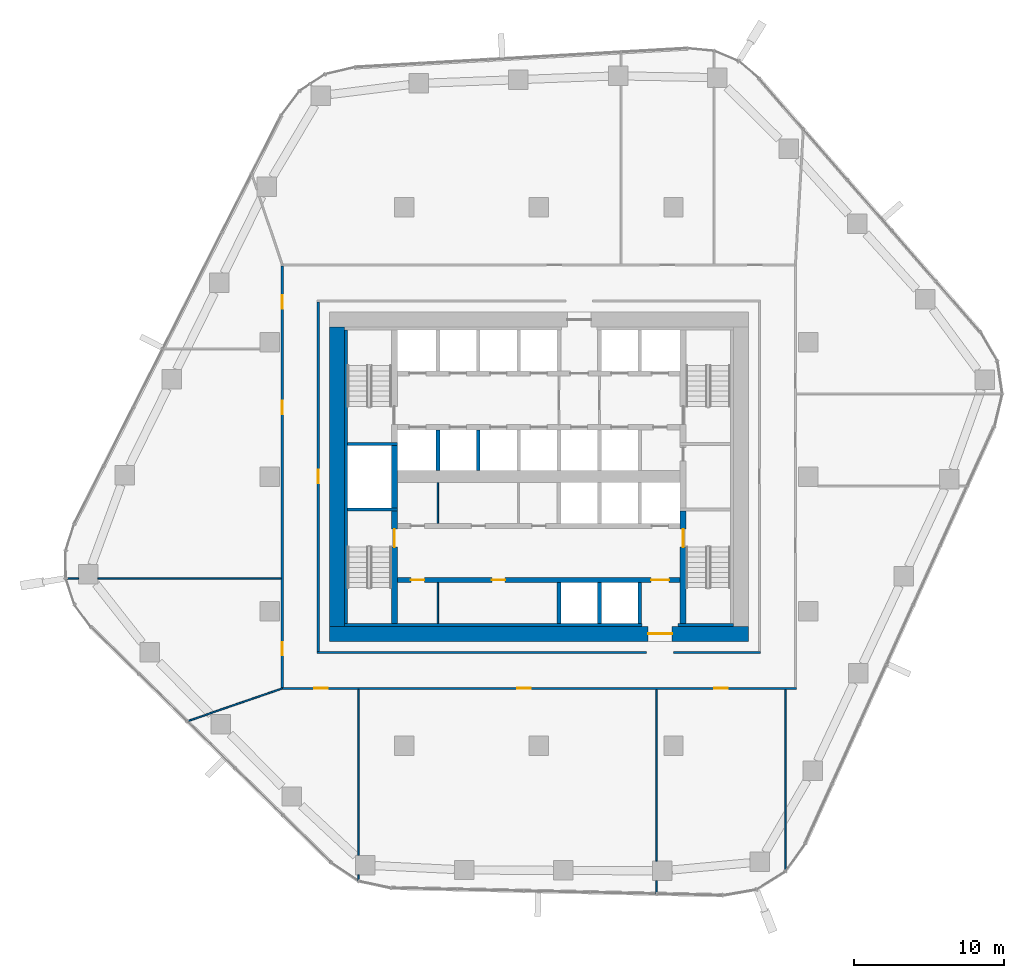
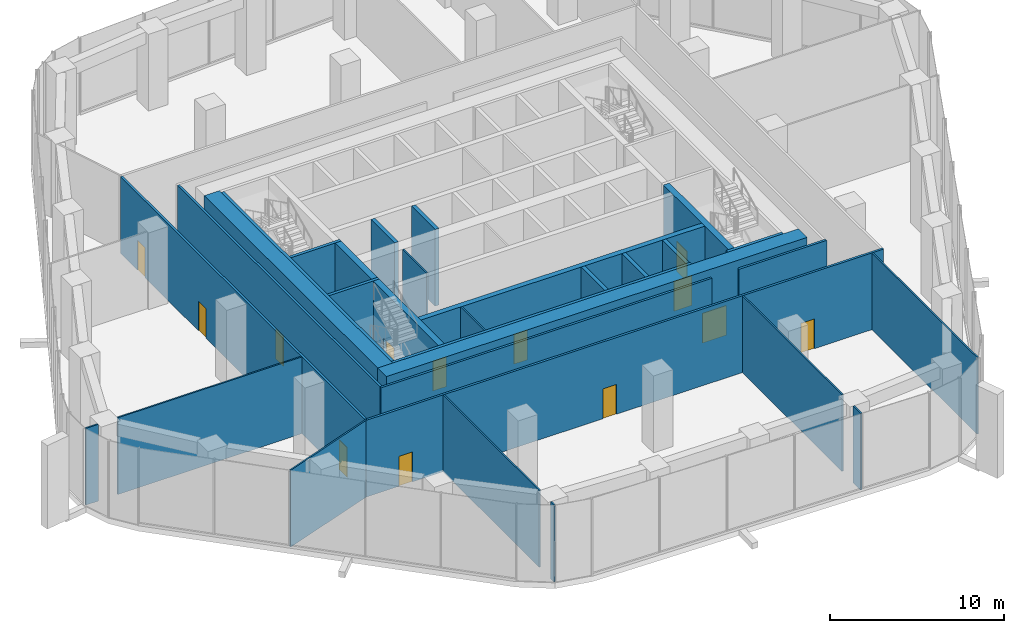
# One storey, part 11 of 18: 31 walls, 13 doors, 13 openings.
"""IFC4 building model written with IfcOpenShell, lengths in metres."""

from ifc_helpers import new_model, si_unit, direction, frame, frame_2d, origin, place, context, subcontext, project, spatial, rectangle, extrude, material, layer, layer_set, type_object, element, fill, save


model = new_model("IFC4")

# Units and contexts
model_context = context("Model", 3, precision=1e-05, world=origin(), true_north=direction((0.0, 1.0)))
body_context = subcontext(model_context, "Body", "Model", "MODEL_VIEW")
ifc_project = project(units=[si_unit("LENGTHUNIT", "METRE"), si_unit("AREAUNIT", "SQUARE_METRE"), si_unit("VOLUMEUNIT", "CUBIC_METRE"), si_unit("PLANEANGLEUNIT", "RADIAN"), si_unit("MASSUNIT", "GRAM", prefix="KILO")], contexts=[model_context])

# Site, building, storey
site_placement = place(None, origin())
site = spatial("IfcSite", under=ifc_project, at=site_placement, CompositionType="ELEMENT")
building_placement = place(site_placement, origin())
building = spatial("IfcBuilding", under=site, at=building_placement, Name="Dongbaek Canopy Tower", CompositionType="ELEMENT")
storey_placement = place(building_placement, frame((0.0, 0.0, 139.60009765625)))
storey = spatial("IfcBuildingStorey", under=building, at=storey_placement, Name="L31", CompositionType="ELEMENT", Elevation=139.60009765625)

# Wall, openings, doors
ifc_material_1 = material(Name="Concrete C60/75", Category="concrete")
ifc_layer_1 = layer(ifc_material_1, 0.35009765625)
ifc_layer_set_1 = layer_set([ifc_layer_1], Name="Core lobby wall 350 Concrete C60/75")
wall_type_1 = type_object("IfcWallType", Name="Core lobby wall 350 Concrete C60/75", PredefinedType="SHEAR", material=ifc_layer_set_1)
wall_1_placement = place(storey_placement, frame((9.449951171875, -6.89990234375, 0.0), z_axis=(0.0, 0.0, 1.0), x_axis=(-1.0, 0.0, 0.0)))
wall_1 = element("IfcWall", 1, at=wall_1_placement, inside=storey, type_object=wall_type_1, Name="Core wall", PredefinedType="SHEAR", context=body_context, shape_type="SweptSolid", body=[
    extrude(rectangle(XDim=18.89990234375, YDim=0.35009765625, at=frame_2d((9.449951171875, 0.0))), origin(), (0.0, 0.0, 1.0), 5.39990234375),
])
opening_1_placement = place(wall_1_placement, frame((0.75, 0.0, 0.0)))
opening_1 = element("IfcOpeningElement", 2, at=opening_1_placement, cuts=wall_1, Name="Opening L31-D033", PredefinedType="OPENING", context=body_context, shape_type="SweptSolid", body=[
    extrude(rectangle(XDim=1.199951171875, YDim=2.10009765625, at=frame_2d((0.60009765625, 1.050048828125))), frame((0.0, 0.18505859375, 0.0), z_axis=(0.0, -1.0, 0.0), x_axis=(1.0, 0.0, 0.0)), (0.0, 0.0, 1.0), 0.3701171875),
])
opening_2_placement = place(wall_1_placement, frame((17.10009765625, 0.0, 0.0)))
opening_2 = element("IfcOpeningElement", 3, at=opening_2_placement, cuts=wall_1, Name="Opening L31-D037", PredefinedType="OPENING", context=body_context, shape_type="SweptSolid", body=[
    extrude(rectangle(XDim=0.89990234375, YDim=2.10009765625, at=frame_2d((0.449951171875, 1.050048828125))), frame((0.0, 0.18505859375, 0.0), z_axis=(0.0, -1.0, 0.0), x_axis=(1.0, 0.0, 0.0)), (0.0, 0.0, 1.0), 0.3701171875),
])
opening_3_placement = place(wall_1_placement, frame((11.699951171875, 0.0, 0.0)))
opening_3 = element("IfcOpeningElement", 4, at=opening_3_placement, cuts=wall_1, Name="Opening L31-D038", PredefinedType="OPENING", context=body_context, shape_type="SweptSolid", body=[
    extrude(rectangle(XDim=0.89990234375, YDim=2.10009765625, at=frame_2d((0.449951171875, 1.050048828125))), frame((0.0, 0.18505859375, 0.0), z_axis=(0.0, -1.0, 0.0), x_axis=(1.0, 0.0, 0.0)), (0.0, 0.0, 1.0), 0.3701171875),
])
ifc_material_2 = material(Name="Steel", Category="steel")
door_type_1 = type_object("IfcDoorType", Name="Core room door 900 x 2100", OperationType="SINGLE_SWING_LEFT", PredefinedType="DOOR", material=ifc_material_2)
door_1_placement = place(opening_2_placement, origin())
door_1 = element("IfcDoor", 5, at=door_1_placement, inside=storey, type_object=door_type_1, Name="Door L31-D037", OperationType="SINGLE_SWING_LEFT", OverallHeight=2.10009765625, OverallWidth=0.89990234375, PredefinedType="DOOR", context=body_context, shape_type="SweptSolid", body=[
    extrude(rectangle(XDim=0.89990234375, YDim=2.10009765625, at=frame_2d((0.449951171875, 1.050048828125))), frame((0.0, 0.02490234375, 0.0), z_axis=(0.0, -1.0, 0.0), x_axis=(1.0, 0.0, 0.0)), (0.0, 0.0, 1.0), 0.050048828125),
])
fill(opening_2, door_1)
door_2_placement = place(opening_3_placement, origin())
door_2 = element("IfcDoor", 6, at=door_2_placement, inside=storey, type_object=door_type_1, Name="Door L31-D038", OperationType="SINGLE_SWING_RIGHT", OverallHeight=2.10009765625, OverallWidth=0.89990234375, PredefinedType="DOOR", context=body_context, shape_type="SweptSolid", body=[
    extrude(rectangle(XDim=0.89990234375, YDim=2.10009765625, at=frame_2d((0.449951171875, 1.050048828125))), frame((0.0, 0.02490234375, 0.0), z_axis=(0.0, -1.0, 0.0), x_axis=(1.0, 0.0, 0.0)), (0.0, 0.0, 1.0), 0.050048828125),
])
fill(opening_3, door_2)
ifc_material_3 = material(Name="Steel", Category="steel")
door_type_2 = type_object("IfcDoorType", Name="Fire lobby door 1200 x 2100", OperationType="SINGLE_SWING_LEFT", PredefinedType="DOOR", material=ifc_material_3)
door_3_placement = place(opening_1_placement, origin())
door_3 = element("IfcDoor", 7, at=door_3_placement, inside=storey, type_object=door_type_2, Name="Door L31-D033", OperationType="SINGLE_SWING_LEFT", OverallHeight=2.10009765625, OverallWidth=1.199951171875, PredefinedType="DOOR", context=body_context, shape_type="SweptSolid", body=[
    extrude(rectangle(XDim=1.199951171875, YDim=2.10009765625, at=frame_2d((0.60009765625, 1.050048828125))), frame((0.0, 0.02490234375, 0.0), z_axis=(0.0, -1.0, 0.0), x_axis=(1.0, 0.0, 0.0)), (0.0, 0.0, 1.0), 0.050048828125),
])
fill(opening_1, door_3)

# Wall, opening, door
ifc_material_4 = material(Name="Concrete C60/75", Category="concrete")
ifc_layer_2 = layer(ifc_material_4, 1.0)
ifc_layer_set_2 = layer_set([ifc_layer_2], Name="Core outer wall 1000 Concrete C60/75")
wall_type_2 = type_object("IfcWallType", Name="Core outer wall 1000 Concrete C60/75", PredefinedType="SHEAR", material=ifc_layer_set_2)
wall_2_placement = place(storey_placement, frame((14.0, -10.5, 0.0), z_axis=(0.0, 0.0, 1.0), x_axis=(-1.0, 0.0, 0.0)))
wall_2 = element("IfcWall", 8, at=wall_2_placement, inside=storey, type_object=wall_type_2, Name="Core wall", PredefinedType="SHEAR", context=body_context, shape_type="SweptSolid", body=[
    extrude(rectangle(XDim=28.0, YDim=1.0, at=frame_2d((14.0, 0.0))), origin(), (0.0, 0.0, 1.0), 5.39990234375),
])
opening_4_placement = place(wall_2_placement, frame((5.10009765625, 0.0, 0.0)))
opening_4 = element("IfcOpeningElement", 9, at=opening_4_placement, cuts=wall_2, Name="Opening L31-D032", PredefinedType="OPENING", context=body_context, shape_type="SweptSolid", body=[
    extrude(rectangle(XDim=1.60009765625, YDim=2.10009765625, at=frame_2d((0.800048828125, 1.050048828125))), frame((0.0, 0.510009765625, 0.0), z_axis=(0.0, -1.0, 0.0), x_axis=(1.0, 0.0, 0.0)), (0.0, 0.0, 1.0), 1.02001953125),
])
ifc_material_5 = material(Name="Steel", Category="steel")
door_type_3 = type_object("IfcDoorType", Name="Core exit door 1600 x 2100", OperationType="DOUBLE_DOOR_SINGLE_SWING", PredefinedType="DOOR", material=ifc_material_5)
door_4_placement = place(opening_4_placement, origin())
door_4 = element("IfcDoor", 10, at=door_4_placement, inside=storey, type_object=door_type_3, Name="Core exit door", OperationType="DOUBLE_DOOR_SINGLE_SWING", OverallHeight=2.10009765625, OverallWidth=1.60009765625, PredefinedType="DOOR", context=body_context, shape_type="SweptSolid", body=[
    extrude(rectangle(XDim=1.60009765625, YDim=2.10009765625, at=frame_2d((0.800048828125, 1.050048828125))), frame((0.0, 0.02490234375, 0.0), z_axis=(0.0, -1.0, 0.0), x_axis=(1.0, 0.0, 0.0)), (0.0, 0.0, 1.0), 0.050048828125),
])
fill(opening_4, door_4)

# Walls
wall_3_placement = place(storey_placement, frame((-13.5, -10.0, 0.0), z_axis=(0.0, 0.0, 1.0), x_axis=(0.0, 1.0, 0.0)))
element("IfcWall", 11, at=wall_3_placement, inside=storey, type_object=wall_type_2, Name="Core wall", PredefinedType="SHEAR", context=body_context, shape_type="SweptSolid", body=[
    extrude(rectangle(XDim=20.0, YDim=1.0, at=frame_2d((10.0, 0.0))), origin(), (0.0, 0.0, 1.0), 5.39990234375),
])
ifc_material_6 = material(Name="Concrete C60/75", Category="concrete")
ifc_layer_3 = layer(ifc_material_6, 0.199951171875)
ifc_layer_set_3 = layer_set([ifc_layer_3], Name="Core wall lining 200 Concrete C60/75")
wall_type_3 = type_object("IfcWallType", Name="Core wall lining 200 Concrete C60/75", PredefinedType="SHEAR", material=ifc_layer_set_3)
wall_4_placement = place(storey_placement, frame((13.0, -9.89990234375, 0.0), z_axis=(0.0, 0.0, 1.0), x_axis=(-1.0, 0.0, 0.0)))
element("IfcWall", 12, at=wall_4_placement, inside=storey, type_object=wall_type_3, Name="Core wall lining", PredefinedType="SHEAR", context=body_context, shape_type="SweptSolid", body=[
    extrude(rectangle(XDim=3.699951171875, YDim=0.199951171875, at=frame_2d((1.85009765625, 0.0))), origin(), (0.0, 0.0, 1.0), 5.39990234375),
])
wall_5_placement = place(storey_placement, frame((6.89990234375, -9.89990234375, 0.0), z_axis=(0.0, 0.0, 1.0), x_axis=(-1.0, 0.0, 0.0)))
element("IfcWall", 13, at=wall_5_placement, inside=storey, type_object=wall_type_3, Name="Core wall lining", PredefinedType="SHEAR", context=body_context, shape_type="SweptSolid", body=[
    extrude(rectangle(XDim=19.89990234375, YDim=0.199951171875, at=frame_2d((9.949951171875, 0.0))), origin(), (0.0, 0.0, 1.0), 5.39990234375),
])
wall_6_placement = place(storey_placement, frame((-12.89990234375, -9.800048828125, 0.0), z_axis=(0.0, 0.0, 1.0), x_axis=(0.0, 1.0, 0.0)))
element("IfcWall", 14, at=wall_6_placement, inside=storey, type_object=wall_type_3, Name="Core wall lining", PredefinedType="SHEAR", context=body_context, shape_type="SweptSolid", body=[
    extrude(rectangle(XDim=19.60009765625, YDim=0.199951171875, at=frame_2d((9.800048828125, 0.0))), origin(), (0.0, 0.0, 1.0), 5.39990234375),
])

# Wall, openings, doors
ifc_material_7 = material(Name="Gypsum board partition, steel stud, 2 x 15 mm fire board", Category="steel")
ifc_layer_4 = layer(ifc_material_7, 0.14990234375)
ifc_layer_set_4 = layer_set([ifc_layer_4], Name="Fire-rated partition 150 gypsum board")
wall_type_4 = type_object("IfcWallType", Name="Fire-rated partition 150 gypsum board", PredefinedType="PARTITIONING", material=ifc_layer_set_4)
wall_7_placement = place(storey_placement, frame((17.22509765625, -14.14990234375, 0.0), z_axis=(0.0, 0.0, 1.0), x_axis=(-1.0, 0.0, 0.0)))
wall_7 = element("IfcWall", 15, at=wall_7_placement, inside=storey, type_object=wall_type_4, Name="Corridor partition", PredefinedType="PARTITIONING", context=body_context, shape_type="SweptSolid", body=[
    extrude(rectangle(XDim=34.4501953125, YDim=0.14990234375, at=frame_2d((17.22509765625, 0.0))), origin(), (0.0, 0.0, 1.0), 5.39990234375),
])
opening_5_placement = place(wall_7_placement, frame((31.347900390625, 0.0, 0.0)))
opening_5 = element("IfcOpeningElement", 16, at=opening_5_placement, cuts=wall_7, Name="Opening L31-D002", PredefinedType="OPENING", context=body_context, shape_type="SweptSolid", body=[
    extrude(rectangle(XDim=0.89990234375, YDim=2.10009765625, at=frame_2d((0.449951171875, 1.050048828125))), frame((0.0, 0.0849609375, 0.0), z_axis=(0.0, -1.0, 0.0), x_axis=(1.0, 0.0, 0.0)), (0.0, 0.0, 1.0), 0.169921875),
])
opening_6_placement = place(wall_7_placement, frame((17.783447265625, 0.0, 0.0)))
opening_6 = element("IfcOpeningElement", 17, at=opening_6_placement, cuts=wall_7, Name="Opening L31-D003", PredefinedType="OPENING", context=body_context, shape_type="SweptSolid", body=[
    extrude(rectangle(XDim=0.89990234375, YDim=2.10009765625, at=frame_2d((0.449951171875, 1.050048828125))), frame((0.0, 0.0849609375, 0.0), z_axis=(0.0, -1.0, 0.0), x_axis=(1.0, 0.0, 0.0)), (0.0, 0.0, 1.0), 0.169921875),
])
opening_7_placement = place(wall_7_placement, frame((4.598388671875, 0.0, 0.0)))
opening_7 = element("IfcOpeningElement", 18, at=opening_7_placement, cuts=wall_7, Name="Opening L31-D004", PredefinedType="OPENING", context=body_context, shape_type="SweptSolid", body=[
    extrude(rectangle(XDim=0.89990234375, YDim=2.10009765625, at=frame_2d((0.449951171875, 1.050048828125))), frame((0.0, 0.0849609375, 0.0), z_axis=(0.0, -1.0, 0.0), x_axis=(1.0, 0.0, 0.0)), (0.0, 0.0, 1.0), 0.169921875),
])
ifc_material_8 = material(Name="Timber veneered door leaf", Category="wood")
door_type_4 = type_object("IfcDoorType", Name="Room door 900 x 2100", OperationType="SINGLE_SWING_LEFT", PredefinedType="DOOR", material=ifc_material_8)
door_5_placement = place(opening_5_placement, origin())
door_5 = element("IfcDoor", 19, at=door_5_placement, inside=storey, type_object=door_type_4, Name="Door L31-D002", OperationType="SINGLE_SWING_LEFT", OverallHeight=2.10009765625, OverallWidth=0.89990234375, PredefinedType="DOOR", context=body_context, shape_type="SweptSolid", body=[
    extrude(rectangle(XDim=0.89990234375, YDim=2.10009765625, at=frame_2d((0.449951171875, 1.050048828125))), frame((0.0, 0.02490234375, 0.0), z_axis=(0.0, -1.0, 0.0), x_axis=(1.0, 0.0, 0.0)), (0.0, 0.0, 1.0), 0.050048828125),
])
fill(opening_5, door_5)
door_6_placement = place(opening_6_placement, origin())
door_6 = element("IfcDoor", 20, at=door_6_placement, inside=storey, type_object=door_type_4, Name="Door L31-D003", OperationType="SINGLE_SWING_RIGHT", OverallHeight=2.10009765625, OverallWidth=0.89990234375, PredefinedType="DOOR", context=body_context, shape_type="SweptSolid", body=[
    extrude(rectangle(XDim=0.89990234375, YDim=2.10009765625, at=frame_2d((0.449951171875, 1.050048828125))), frame((0.0, 0.02490234375, 0.0), z_axis=(0.0, -1.0, 0.0), x_axis=(1.0, 0.0, 0.0)), (0.0, 0.0, 1.0), 0.050048828125),
])
fill(opening_6, door_6)
door_7_placement = place(opening_7_placement, origin())
door_7 = element("IfcDoor", 21, at=door_7_placement, inside=storey, type_object=door_type_4, Name="Door L31-D004", OperationType="SINGLE_SWING_LEFT", OverallHeight=2.10009765625, OverallWidth=0.89990234375, PredefinedType="DOOR", context=body_context, shape_type="SweptSolid", body=[
    extrude(rectangle(XDim=0.89990234375, YDim=2.10009765625, at=frame_2d((0.449951171875, 1.050048828125))), frame((0.0, 0.02490234375, 0.0), z_axis=(0.0, -1.0, 0.0), x_axis=(1.0, 0.0, 0.0)), (0.0, 0.0, 1.0), 0.050048828125),
])
fill(opening_7, door_7)

# Walls
wall_8_placement = place(storey_placement, frame((-14.824951171875, -11.75, 0.0), z_axis=(0.0, 0.0, 1.0), x_axis=(1.0, 0.0, 0.0)))
element("IfcWall", 22, at=wall_8_placement, inside=storey, type_object=wall_type_4, Name="Corridor partition", PredefinedType="PARTITIONING", context=body_context, shape_type="SweptSolid", body=[
    extrude(rectangle(XDim=22.02490234375, YDim=0.14990234375, at=frame_2d((11.012451171875, 0.0))), origin(), (0.0, 0.0, 1.0), 5.39990234375),
])
wall_9_placement = place(storey_placement, frame((9.0, -11.75, 0.0), z_axis=(0.0, 0.0, 1.0), x_axis=(1.0, 0.0, 0.0)))
element("IfcWall", 23, at=wall_9_placement, inside=storey, type_object=wall_type_4, Name="Corridor partition", PredefinedType="PARTITIONING", context=body_context, shape_type="SweptSolid", body=[
    extrude(rectangle(XDim=5.824951171875, YDim=0.14990234375, at=frame_2d((2.91259765625, 0.0))), origin(), (0.0, 0.0, 1.0), 5.39990234375),
])

# Wall, opening, door
wall_10_placement = place(storey_placement, frame((-14.75, 11.675048828125, 0.0), z_axis=(0.0, 0.0, 1.0), x_axis=(0.0, -1.0, 0.0)))
wall_10 = element("IfcWall", 24, at=wall_10_placement, inside=storey, type_object=wall_type_4, Name="Corridor partition", PredefinedType="PARTITIONING", context=body_context, shape_type="SweptSolid", body=[
    extrude(rectangle(XDim=23.35009765625, YDim=0.14990234375, at=frame_2d((11.675048828125, 0.0))), origin(), (0.0, 0.0, 1.0), 5.39990234375),
])
opening_8_placement = place(wall_10_placement, frame((11.22509765625, 0.0, 0.0)))
opening_8 = element("IfcOpeningElement", 25, at=opening_8_placement, cuts=wall_10, Name="Opening L31-D013", PredefinedType="OPENING", context=body_context, shape_type="SweptSolid", body=[
    extrude(rectangle(XDim=0.89990234375, YDim=2.10009765625, at=frame_2d((0.449951171875, 1.050048828125))), frame((0.0, 0.0849609375, 0.0), z_axis=(0.0, -1.0, 0.0), x_axis=(1.0, 0.0, 0.0)), (0.0, 0.0, 1.0), 0.169921875),
])
door_8_placement = place(opening_8_placement, origin())
door_8 = element("IfcDoor", 26, at=door_8_placement, inside=storey, type_object=door_type_4, Name="Door L31-D013", OperationType="SINGLE_SWING_RIGHT", OverallHeight=2.10009765625, OverallWidth=0.89990234375, PredefinedType="DOOR", context=body_context, shape_type="SweptSolid", body=[
    extrude(rectangle(XDim=0.89990234375, YDim=2.10009765625, at=frame_2d((0.449951171875, 1.050048828125))), frame((0.0, 0.02490234375, 0.0), z_axis=(0.0, -1.0, 0.0), x_axis=(1.0, 0.0, 0.0)), (0.0, 0.0, 1.0), 0.050048828125),
])
fill(opening_8, door_8)

# Wall, openings, doors
wall_11_placement = place(storey_placement, frame((-17.14990234375, -14.074951171875, 0.0), z_axis=(0.0, 0.0, 1.0), x_axis=(0.0, 1.0, 0.0)))
wall_11 = element("IfcWall", 27, at=wall_11_placement, inside=storey, type_object=wall_type_4, Name="Corridor partition", PredefinedType="PARTITIONING", context=body_context, shape_type="SweptSolid", body=[
    extrude(rectangle(XDim=28.14990234375, YDim=0.14990234375, at=frame_2d((14.074951171875, 0.0))), origin(), (0.0, 0.0, 1.0), 5.39990234375),
])
opening_9_placement = place(wall_11_placement, frame((2.12451171875, 0.0, 0.0)))
opening_9 = element("IfcOpeningElement", 28, at=opening_9_placement, cuts=wall_11, Name="Opening L31-D001", PredefinedType="OPENING", context=body_context, shape_type="SweptSolid", body=[
    extrude(rectangle(XDim=0.89990234375, YDim=2.10009765625, at=frame_2d((0.449951171875, 1.050048828125))), frame((0.0, 0.0849609375, 0.0), z_axis=(0.0, -1.0, 0.0), x_axis=(1.0, 0.0, 0.0)), (0.0, 0.0, 1.0), 0.169921875),
])
opening_10_placement = place(wall_11_placement, frame((25.303466796875, 0.0, 0.0)))
opening_10 = element("IfcOpeningElement", 29, at=opening_10_placement, cuts=wall_11, Name="Opening L31-D011", PredefinedType="OPENING", context=body_context, shape_type="SweptSolid", body=[
    extrude(rectangle(XDim=0.89990234375, YDim=2.10009765625, at=frame_2d((0.449951171875, 1.050048828125))), frame((0.0, 0.0849609375, 0.0), z_axis=(0.0, -1.0, 0.0), x_axis=(1.0, 0.0, 0.0)), (0.0, 0.0, 1.0), 0.169921875),
])
opening_11_placement = place(wall_11_placement, frame((18.259033203125, 0.0, 0.0)))
opening_11 = element("IfcOpeningElement", 30, at=opening_11_placement, cuts=wall_11, Name="Opening L31-D012", PredefinedType="OPENING", context=body_context, shape_type="SweptSolid", body=[
    extrude(rectangle(XDim=0.89990234375, YDim=2.10009765625, at=frame_2d((0.449951171875, 1.050048828125))), frame((0.0, 0.0849609375, 0.0), z_axis=(0.0, -1.0, 0.0), x_axis=(1.0, 0.0, 0.0)), (0.0, 0.0, 1.0), 0.169921875),
])
door_9_placement = place(opening_9_placement, origin())
door_9 = element("IfcDoor", 31, at=door_9_placement, inside=storey, type_object=door_type_4, Name="Door L31-D001", OperationType="SINGLE_SWING_RIGHT", OverallHeight=2.10009765625, OverallWidth=0.89990234375, PredefinedType="DOOR", context=body_context, shape_type="SweptSolid", body=[
    extrude(rectangle(XDim=0.89990234375, YDim=2.10009765625, at=frame_2d((0.449951171875, 1.050048828125))), frame((0.0, 0.02490234375, 0.0), z_axis=(0.0, -1.0, 0.0), x_axis=(1.0, 0.0, 0.0)), (0.0, 0.0, 1.0), 0.050048828125),
])
fill(opening_9, door_9)
door_10_placement = place(opening_10_placement, origin())
door_10 = element("IfcDoor", 32, at=door_10_placement, inside=storey, type_object=door_type_4, Name="Door L31-D011", OperationType="SINGLE_SWING_RIGHT", OverallHeight=2.10009765625, OverallWidth=0.89990234375, PredefinedType="DOOR", context=body_context, shape_type="SweptSolid", body=[
    extrude(rectangle(XDim=0.89990234375, YDim=2.10009765625, at=frame_2d((0.449951171875, 1.050048828125))), frame((0.0, 0.02490234375, 0.0), z_axis=(0.0, -1.0, 0.0), x_axis=(1.0, 0.0, 0.0)), (0.0, 0.0, 1.0), 0.050048828125),
])
fill(opening_10, door_10)
door_11_placement = place(opening_11_placement, origin())
door_11 = element("IfcDoor", 33, at=door_11_placement, inside=storey, type_object=door_type_4, Name="Door L31-D012", OperationType="SINGLE_SWING_LEFT", OverallHeight=2.10009765625, OverallWidth=0.89990234375, PredefinedType="DOOR", context=body_context, shape_type="SweptSolid", body=[
    extrude(rectangle(XDim=0.89990234375, YDim=2.10009765625, at=frame_2d((0.449951171875, 1.050048828125))), frame((0.0, 0.02490234375, 0.0), z_axis=(0.0, -1.0, 0.0), x_axis=(1.0, 0.0, 0.0)), (0.0, 0.0, 1.0), 0.050048828125),
])
fill(opening_11, door_11)

# Walls
ifc_material_9 = material(Name="Concrete C40/50", Category="concrete")
ifc_layer_5 = layer(ifc_material_9, 0.25)
ifc_layer_set_5 = layer_set([ifc_layer_5], Name="Lift shaft wall 250 Concrete C40/50")
wall_type_5 = type_object("IfcWallType", Name="Lift shaft wall 250 Concrete C40/50", PredefinedType="SOLIDWALL", material=ifc_layer_set_5)
for number, where, z_axis, x_axis, name in (
    (34, (6.75, -9.800048828125, 0.0), (0.0, 0.0, 1.0), (0.0, 1.0, 0.0), "Lift shaft wall"),
    (35, (4.050048828125, -9.800048828125, 0.0), (0.0, 0.0, 1.0), (0.0, 1.0, 0.0), "Lift shaft wall"),
    (36, (1.35009765625, -9.800048828125, 0.0), (0.0, 0.0, 1.0), (0.0, 1.0, 0.0), "Lift shaft wall"),
    (37, (-4.050048828125, 0.39990234375, 0.0), (0.0, 0.0, 1.0), (0.0, 1.0, 0.0), "Lift shaft wall"),
    (38, (-6.75, 0.39990234375, 0.0), (0.0, 0.0, 1.0), (0.0, 1.0, 0.0), "Lift shaft wall"),
):
    element("IfcWall", number, at=place(storey_placement, frame(where, z_axis=z_axis, x_axis=x_axis)), inside=storey, type_object=wall_type_5, Name=name, PredefinedType="SOLIDWALL", context=body_context, shape_type="SweptSolid", body=[
        extrude(rectangle(XDim=2.72509765625, YDim=0.25, at=frame_2d((1.362548828125, 0.0))), origin(), (0.0, 0.0, 1.0), 5.39990234375),
    ])
ifc_material_10 = material(Name="Gypsum board partition, steel stud, 2 x 12.5 mm board", Category="steel")
ifc_layer_6 = layer(ifc_material_10, 0.10009765625)
ifc_layer_set_6 = layer_set([ifc_layer_6], Name="Partition 100 gypsum board")
wall_type_6 = type_object("IfcWallType", Name="Partition 100 gypsum board", PredefinedType="PARTITIONING", material=ifc_layer_set_6)
wall_12_placement = place(storey_placement, frame((-31.606201171875, -6.7958984375, 0.0), z_axis=(0.0, 0.0, 1.0), x_axis=(1.0, 0.0, 0.0)))
element("IfcWall", 39, at=wall_12_placement, inside=storey, type_object=wall_type_6, Name="Partition", PredefinedType="PARTITIONING", context=body_context, shape_type="SweptSolid", body=[
    extrude(rectangle(XDim=0.831298828125, YDim=0.10009765625, at=frame_2d((0.41552734375, 0.0))), origin(), (0.0, 0.0, 1.0), 5.39990234375),
])
wall_13_placement = place(storey_placement, frame((-29.47509765625, -6.7958984375, 0.0), z_axis=(0.0, 0.0, 1.0), x_axis=(1.0, 0.0, 0.0)))
element("IfcWall", 40, at=wall_13_placement, inside=storey, type_object=wall_type_6, Name="Partition", PredefinedType="PARTITIONING", context=body_context, shape_type="SweptSolid", body=[
    extrude(rectangle(XDim=12.25, YDim=0.10009765625, at=frame_2d((6.125, 0.0))), origin(), (0.0, 0.0, 1.0), 5.39990234375),
])
wall_14_placement = place(storey_placement, frame((-23.497802734375, -16.34619140625, 0.0), z_axis=(0.0, 0.0, 1.0), x_axis=(0.945057352494, 0.326904573991, 0.0)))
element("IfcWall", 41, at=wall_14_placement, inside=storey, type_object=wall_type_6, Name="Partition", PredefinedType="PARTITIONING", context=body_context, shape_type="SweptSolid", body=[
    extrude(rectangle(XDim=6.717041015625, YDim=0.10009765625, at=frame_2d((3.3583984375, 0.0))), origin(), (0.0, 0.0, 1.0), 5.39990234375),
])
wall_15_placement = place(storey_placement, frame((16.485107421875, -26.345458984375, 0.0), z_axis=(0.0, 0.0, 1.0), x_axis=(0.0, 1.0, 0.0)))
element("IfcWall", 42, at=wall_15_placement, inside=storey, type_object=wall_type_6, Name="Partition", PredefinedType="PARTITIONING", context=body_context, shape_type="SweptSolid", body=[
    extrude(rectangle(XDim=12.120361328125, YDim=0.10009765625, at=frame_2d((6.06005859375, 0.0))), origin(), (0.0, 0.0, 1.0), 5.39990234375),
])
wall_16_placement = place(storey_placement, frame((7.868896484375, -27.869140625, 0.0), z_axis=(0.0, 0.0, 1.0), x_axis=(0.0, 1.0, 0.0)))
element("IfcWall", 43, at=wall_16_placement, inside=storey, type_object=wall_type_6, Name="Partition", PredefinedType="PARTITIONING", context=body_context, shape_type="SweptSolid", body=[
    extrude(rectangle(XDim=0.8701171875, YDim=0.10009765625, at=frame_2d((0.43505859375, 0.0))), origin(), (0.0, 0.0, 1.0), 5.39990234375),
])
wall_17_placement = place(storey_placement, frame((7.868896484375, -25.698974609375, 0.0), z_axis=(0.0, 0.0, 1.0), x_axis=(0.0, 1.0, 0.0)))
element("IfcWall", 44, at=wall_17_placement, inside=storey, type_object=wall_type_6, Name="Partition", PredefinedType="PARTITIONING", context=body_context, shape_type="SweptSolid", body=[
    extrude(rectangle(XDim=11.473876953125, YDim=0.10009765625, at=frame_2d((5.73681640625, 0.0))), origin(), (0.0, 0.0, 1.0), 5.39990234375),
])
wall_18_placement = place(storey_placement, frame((-12.047119140625, -27.008056640625, 0.0), z_axis=(0.0, 0.0, 1.0), x_axis=(0.0, 1.0, 0.0)))
element("IfcWall", 45, at=wall_18_placement, inside=storey, type_object=wall_type_6, Name="Partition", PredefinedType="PARTITIONING", context=body_context, shape_type="SweptSolid", body=[
    extrude(rectangle(XDim=0.39208984375, YDim=0.10009765625, at=frame_2d((0.196044921875, 0.0))), origin(), (0.0, 0.0, 1.0), 5.39990234375),
])
wall_19_placement = place(storey_placement, frame((-12.047119140625, -25.31591796875, 0.0), z_axis=(0.0, 0.0, 1.0), x_axis=(0.0, 1.0, 0.0)))
element("IfcWall", 46, at=wall_19_placement, inside=storey, type_object=wall_type_6, Name="Partition", PredefinedType="PARTITIONING", context=body_context, shape_type="SweptSolid", body=[
    extrude(rectangle(XDim=11.0908203125, YDim=0.10009765625, at=frame_2d((5.54541015625, 0.0))), origin(), (0.0, 0.0, 1.0), 5.39990234375),
])
for number, where, z_axis, x_axis, name in (
    (47, (-6.75, -9.800048828125, 0.0), (0.0, 0.0, 1.0), (0.0, 1.0, 0.0), "Core partition"),
    (48, (-6.75, -3.125, 0.0), (0.0, 0.0, 1.0), (0.0, 1.0, 0.0), "Core partition"),
):
    element("IfcWall", number, at=place(storey_placement, frame(where, z_axis=z_axis, x_axis=x_axis)), inside=storey, type_object=wall_type_6, Name=name, PredefinedType="PARTITIONING", context=body_context, shape_type="SweptSolid", body=[
        extrude(rectangle(XDim=2.72509765625, YDim=0.10009765625, at=frame_2d((1.362548828125, 0.0))), origin(), (0.0, 0.0, 1.0), 5.39990234375),
    ])
ifc_material_11 = material(Name="Concrete C60/75", Category="concrete")
ifc_layer_7 = layer(ifc_material_11, 0.199951171875)
ifc_layer_set_7 = layer_set([ifc_layer_7], Name="Riser wall 200 Concrete C60/75")
wall_type_7 = type_object("IfcWallType", Name="Riser wall 200 Concrete C60/75", PredefinedType="SHEAR", material=ifc_layer_set_7)
for number, where, z_axis, x_axis, name in (
    (49, (-9.449951171875, 2.199951171875, 0.0), (0.0, 0.0, 1.0), (-1.0, 0.0, 0.0), "Riser wall"),
    (50, (-9.449951171875, -2.199951171875, 0.0), (0.0, 0.0, 1.0), (-1.0, 0.0, 0.0), "Riser wall"),
):
    element("IfcWall", number, at=place(storey_placement, frame(where, z_axis=z_axis, x_axis=x_axis)), inside=storey, type_object=wall_type_7, Name=name, PredefinedType="SHEAR", context=body_context, shape_type="SweptSolid", body=[
        extrude(rectangle(XDim=3.35009765625, YDim=0.199951171875, at=frame_2d((1.675048828125, 0.0))), origin(), (0.0, 0.0, 1.0), 5.39990234375),
    ])

# Wall, opening, door
ifc_material_12 = material(Name="Concrete C60/75", Category="concrete")
ifc_layer_8 = layer(ifc_material_12, 0.39990234375)
ifc_layer_set_8 = layer_set([ifc_layer_8], Name="Stair wall 400 Concrete C60/75")
wall_type_8 = type_object("IfcWallType", Name="Stair wall 400 Concrete C60/75", PredefinedType="SHEAR", material=ifc_layer_set_8)
wall_20_placement = place(storey_placement, frame((9.64990234375, -2.300048828125, 0.0), z_axis=(0.0, 0.0, 1.0), x_axis=(0.0, -1.0, 0.0)))
wall_20 = element("IfcWall", 51, at=wall_20_placement, inside=storey, type_object=wall_type_8, Name="Stair wall", PredefinedType="SHEAR", context=body_context, shape_type="SweptSolid", body=[
    extrude(rectangle(XDim=7.5, YDim=0.39990234375, at=frame_2d((3.75, 0.0))), origin(), (0.0, 0.0, 1.0), 5.39990234375),
])
opening_12_placement = place(wall_20_placement, frame((1.199951171875, 0.0, 0.0)))
opening_12 = element("IfcOpeningElement", 52, at=opening_12_placement, cuts=wall_20, Name="Opening L31-D041", PredefinedType="OPENING", context=body_context, shape_type="SweptSolid", body=[
    extrude(rectangle(XDim=1.199951171875, YDim=2.10009765625, at=frame_2d((0.60009765625, 1.050048828125))), frame((0.0, 0.2099609375, 0.0), z_axis=(0.0, -1.0, 0.0), x_axis=(1.0, 0.0, 0.0)), (0.0, 0.0, 1.0), 0.419921875),
])
ifc_material_13 = material(Name="Steel", Category="steel")
door_type_5 = type_object("IfcDoorType", Name="Stair door 1200 x 2100", OperationType="SINGLE_SWING_LEFT", PredefinedType="DOOR", material=ifc_material_13)
door_12_placement = place(opening_12_placement, origin())
door_12 = element("IfcDoor", 53, at=door_12_placement, inside=storey, type_object=door_type_5, Name="Stair B door", OperationType="SINGLE_SWING_RIGHT", OverallHeight=2.10009765625, OverallWidth=1.199951171875, PredefinedType="DOOR", context=body_context, shape_type="SweptSolid", body=[
    extrude(rectangle(XDim=1.199951171875, YDim=2.10009765625, at=frame_2d((0.60009765625, 1.050048828125))), frame((0.0, 0.02490234375, 0.0), z_axis=(0.0, -1.0, 0.0), x_axis=(1.0, 0.0, 0.0)), (0.0, 0.0, 1.0), 0.050048828125),
])
fill(opening_12, door_12)

wall_21_placement = place(storey_placement, frame((-9.64990234375, -9.800048828125, 0.0), z_axis=(0.0, 0.0, 1.0), x_axis=(0.0, 1.0, 0.0)))
wall_21 = element("IfcWall", 54, at=wall_21_placement, inside=storey, type_object=wall_type_8, Name="Stair wall", PredefinedType="SHEAR", context=body_context, shape_type="SweptSolid", body=[
    extrude(rectangle(XDim=7.5, YDim=0.39990234375, at=frame_2d((3.75, 0.0))), origin(), (0.0, 0.0, 1.0), 5.39990234375),
])
opening_13_placement = place(wall_21_placement, frame((5.10009765625, 0.0, 0.0)))
opening_13 = element("IfcOpeningElement", 55, at=opening_13_placement, cuts=wall_21, Name="Opening L31-D042", PredefinedType="OPENING", context=body_context, shape_type="SweptSolid", body=[
    extrude(rectangle(XDim=1.199951171875, YDim=2.10009765625, at=frame_2d((0.60009765625, 1.050048828125))), frame((0.0, 0.2099609375, 0.0), z_axis=(0.0, -1.0, 0.0), x_axis=(1.0, 0.0, 0.0)), (0.0, 0.0, 1.0), 0.419921875),
])
door_13_placement = place(opening_13_placement, origin())
door_13 = element("IfcDoor", 56, at=door_13_placement, inside=storey, type_object=door_type_5, Name="Stair D door", OperationType="SINGLE_SWING_LEFT", OverallHeight=2.10009765625, OverallWidth=1.199951171875, PredefinedType="DOOR", context=body_context, shape_type="SweptSolid", body=[
    extrude(rectangle(XDim=1.199951171875, YDim=2.10009765625, at=frame_2d((0.60009765625, 1.050048828125))), frame((0.0, 0.02490234375, 0.0), z_axis=(0.0, -1.0, 0.0), x_axis=(1.0, 0.0, 0.0)), (0.0, 0.0, 1.0), 0.050048828125),
])
fill(opening_13, door_13)

# Wall
wall_22_placement = place(storey_placement, frame((-9.64990234375, -2.10009765625, 0.0), z_axis=(0.0, 0.0, 1.0), x_axis=(0.0, 1.0, 0.0)))
element("IfcWall", 57, at=wall_22_placement, inside=storey, type_object=wall_type_8, Name="Stair wall", PredefinedType="SHEAR", context=body_context, shape_type="SweptSolid", body=[
    extrude(rectangle(XDim=4.2001953125, YDim=0.39990234375, at=frame_2d((2.10009765625, 0.0))), origin(), (0.0, 0.0, 1.0), 5.39990234375),
])

save(model, "model.ifc")
